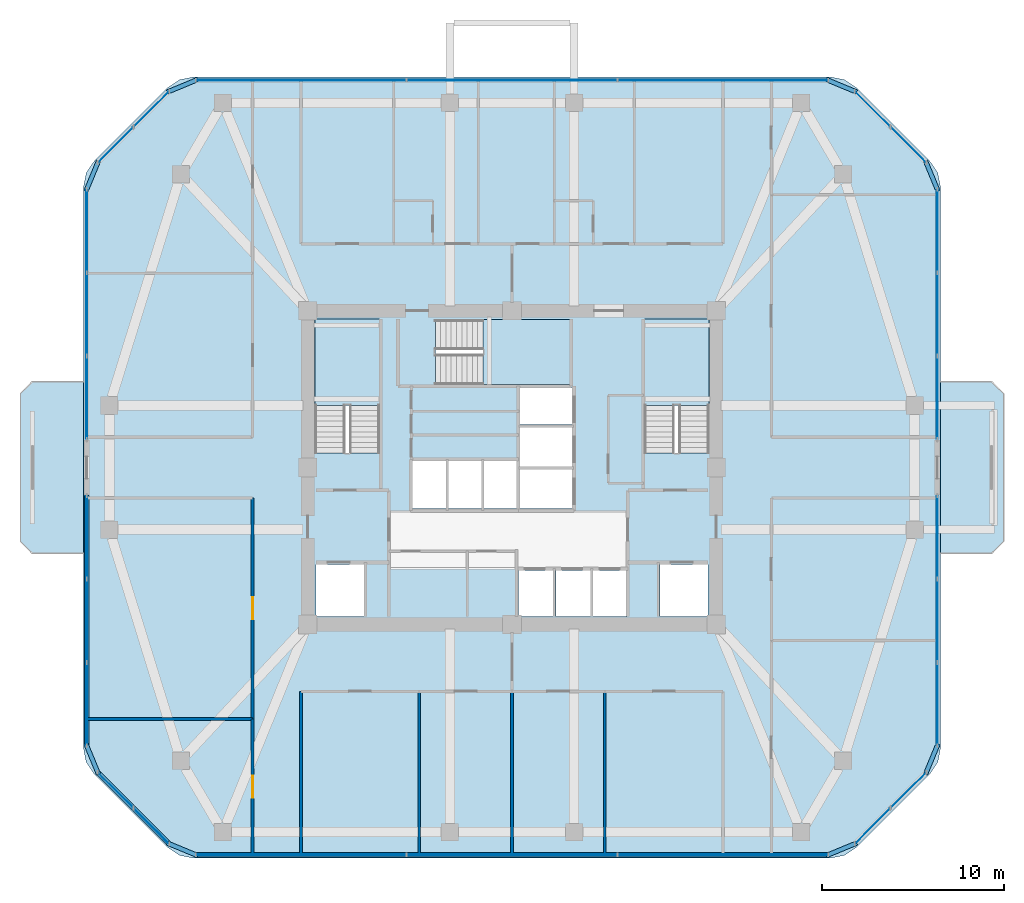
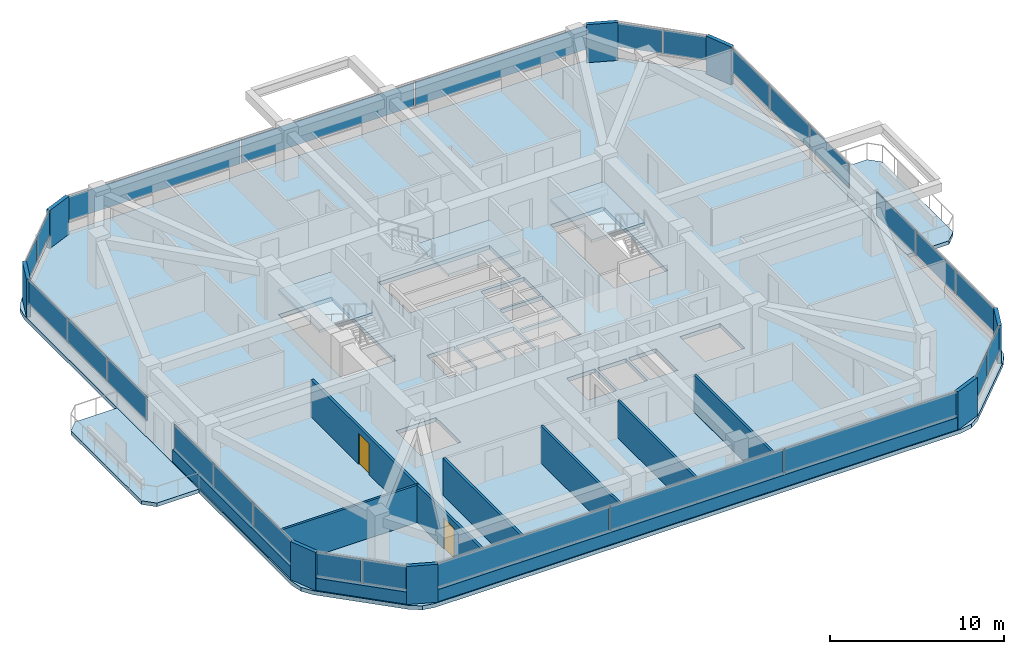
# One storey, part 7 of 13: 34 plates, 10 walls, 6 slabs, 2 doors, 2 openings, 13 elements without a shape of their own.
"""IFC4 building model written with IfcOpenShell, lengths in metres."""

from ifc_helpers import new_model, si_unit, derived_unit, direction, frame, frame_2d, origin, origin_2d, place, context, subcontext, project, spatial, polyline, rectangle, outline, extrude, material, layer, layer_set, type_object, element, fill, aggregate, save


model = new_model("IFC4")

# Units and contexts
model_context = context("Model", 3, precision=1e-05, world=origin(), true_north=direction((0.0, 1.0)))
body_context = subcontext(model_context, "Body", "Model", "MODEL_VIEW")
ifc_project = project(units=[si_unit("LENGTHUNIT", "METRE"), si_unit("AREAUNIT", "SQUARE_METRE"), si_unit("VOLUMEUNIT", "CUBIC_METRE"), si_unit("PLANEANGLEUNIT", "RADIAN"), si_unit("MASSUNIT", "GRAM", prefix="KILO"), derived_unit("THERMALTRANSMITTANCEUNIT", [(si_unit("POWERUNIT", "WATT"), 1), (si_unit("LENGTHUNIT", "METRE"), -2), (si_unit("THERMODYNAMICTEMPERATUREUNIT", "KELVIN"), -1)])], contexts=[model_context])

# Site, building, storey
site_placement = place(None, origin())
site = spatial("IfcSite", under=ifc_project, at=site_placement, CompositionType="ELEMENT")
building_placement = place(site_placement, origin())
building = spatial("IfcBuilding", under=site, at=building_placement, Name="Koralith Skygarden Medical Center", CompositionType="ELEMENT")
storey_placement = place(building_placement, frame((0.0, 0.0, 142.02001953125)))
storey = spatial("IfcBuildingStorey", under=building, at=storey_placement, Name="L36", CompositionType="ELEMENT", Elevation=142.02001953125)

# Curtain wall, plates
ifc_material_1 = material(Name="Clear Laminated Glass", Category="glass")
curtain_wall_type = type_object("IfcCurtainWallType", Name="CW-4 Zone 3 Waist High-Wind Curtain Wall", PredefinedType="NOTDEFINED", material=ifc_material_1)
curtain_wall_1_placement = place(storey_placement, origin())
curtain_wall_1 = element("IfcCurtainWall", 1, at=curtain_wall_1_placement, inside=storey, type_object=curtain_wall_type, Name="Curtain Wall CW-L36-S", PredefinedType="NOTDEFINED")
ifc_layer_1 = layer(ifc_material_1, 0.035888671875)
ifc_layer_set_1 = layer_set([ifc_layer_1], Name="Clear Laminated Glass")
plate_type_1 = type_object("IfcPlateType", Name="CW-4 Hurricane Laminated IGU Panel 36", PredefinedType="CURTAIN_PANEL", material=ifc_layer_set_1)
plate_1_placement = place(storey_placement, frame((25.447021484375, 4.679931640625, 0.919921875), z_axis=(0.0, 0.0, 1.0), x_axis=(1.0, 0.0, 0.0)))
plate_1 = element("IfcPlate", 2, at=plate_1_placement, type_object=plate_type_1, Name="CW-L36-S Glazed Panel 1", PredefinedType="CURTAIN_PANEL", context=body_context, shape_type="SweptSolid", body=[
    extrude(rectangle(XDim=11.462890625, YDim=0.035888671875, at=origin_2d()), origin(), (0.0, 0.0, 1.0), 1.679931640625),
])
plate_2_placement = place(storey_placement, frame((37.0, 4.679931640625, 0.919921875), z_axis=(0.0, 0.0, 1.0), x_axis=(1.0, 0.0, 0.0)))
plate_2 = element("IfcPlate", 3, at=plate_2_placement, type_object=plate_type_1, Name="CW-L36-S Glazed Panel 2", PredefinedType="CURTAIN_PANEL", context=body_context, shape_type="SweptSolid", body=[
    extrude(rectangle(XDim=11.462890625, YDim=0.035888671875, at=origin_2d()), origin(), (0.0, 0.0, 1.0), 1.679931640625),
])
plate_3_placement = place(storey_placement, frame((48.552978515625, 4.679931640625, 0.919921875), z_axis=(0.0, 0.0, 1.0), x_axis=(1.0, 0.0, 0.0)))
plate_3 = element("IfcPlate", 4, at=plate_3_placement, type_object=plate_type_1, Name="CW-L36-S Glazed Panel 3", PredefinedType="CURTAIN_PANEL", context=body_context, shape_type="SweptSolid", body=[
    extrude(rectangle(XDim=11.462890625, YDim=0.035888671875, at=origin_2d()), origin(), (0.0, 0.0, 1.0), 1.679931640625),
])
aggregate(curtain_wall_1, [plate_1, plate_2, plate_3])

curtain_wall_2_placement = place(storey_placement, origin())
curtain_wall_2 = element("IfcCurtainWall", 5, at=curtain_wall_2_placement, inside=storey, type_object=curtain_wall_type, Name="Curtain Wall CW-L36-SE", PredefinedType="NOTDEFINED")
plate_4_placement = place(storey_placement, frame((56.760986328125, 6.261962890625, 0.919921875), z_axis=(0.0, 0.0, 1.0), x_axis=(0.707106781187, 0.707106781187, 0.0)))
plate_4 = element("IfcPlate", 6, at=plate_4_placement, type_object=plate_type_1, Name="CW-L36-SE Glazed Panel 1", PredefinedType="CURTAIN_PANEL", context=body_context, shape_type="SweptSolid", body=[
    extrude(rectangle(XDim=2.68408203125, YDim=0.035888671875, at=origin_2d()), origin(), (0.0, 0.0, 1.0), 1.679931640625),
])
plate_5_placement = place(storey_placement, frame((58.721923828125, 8.222900390625, 0.919921875), z_axis=(0.0, 0.0, 1.0), x_axis=(0.707106781187, 0.707106781187, 0.0)))
plate_5 = element("IfcPlate", 7, at=plate_5_placement, type_object=plate_type_1, Name="CW-L36-SE Glazed Panel 2", PredefinedType="CURTAIN_PANEL", context=body_context, shape_type="SweptSolid", body=[
    extrude(rectangle(XDim=2.68408203125, YDim=0.035888671875, at=origin_2d()), origin(), (0.0, 0.0, 1.0), 1.679931640625),
])
aggregate(curtain_wall_2, [plate_4, plate_5])

curtain_wall_3_placement = place(storey_placement, origin())
curtain_wall_3 = element("IfcCurtainWall", 8, at=curtain_wall_3_placement, inside=storey, type_object=curtain_wall_type, Name="Curtain Wall CW-L36-E-L", PredefinedType="NOTDEFINED")
plate_6_placement = place(storey_placement, frame((60.303955078125, 12.93896484375, 0.919921875), z_axis=(0.0, 0.0, 1.0), x_axis=(0.0, 1.0, 0.0)))
plate_6 = element("IfcPlate", 9, at=plate_6_placement, type_object=plate_type_1, Name="CW-L36-E-L Glazed Panel 1", PredefinedType="CURTAIN_PANEL", context=body_context, shape_type="SweptSolid", body=[
    extrude(rectangle(XDim=4.47802734375, YDim=0.035888671875, at=origin_2d()), origin(), (0.0, 0.0, 1.0), 1.679931640625),
])
plate_7_placement = place(storey_placement, frame((60.303955078125, 17.508056640625, 0.919921875), z_axis=(0.0, 0.0, 1.0), x_axis=(0.0, 1.0, 0.0)))
plate_7 = element("IfcPlate", 10, at=plate_7_placement, type_object=plate_type_1, Name="CW-L36-E-L Glazed Panel 2", PredefinedType="CURTAIN_PANEL", context=body_context, shape_type="SweptSolid", body=[
    extrude(rectangle(XDim=4.47802734375, YDim=0.035888671875, at=origin_2d()), origin(), (0.0, 0.0, 1.0), 1.679931640625),
])
plate_8_placement = place(storey_placement, frame((60.303955078125, 22.075927734375, 0.919921875), z_axis=(0.0, 0.0, 1.0), x_axis=(0.0, 1.0, 0.0)))
plate_8 = element("IfcPlate", 11, at=plate_8_placement, type_object=plate_type_1, Name="CW-L36-E-L Glazed Panel 3", PredefinedType="CURTAIN_PANEL", context=body_context, shape_type="SweptSolid", body=[
    extrude(rectangle(XDim=4.47802734375, YDim=0.035888671875, at=origin_2d()), origin(), (0.0, 0.0, 1.0), 1.679931640625),
])
aggregate(curtain_wall_3, [plate_6, plate_7, plate_8])

curtain_wall_4_placement = place(storey_placement, origin())
curtain_wall_4 = element("IfcCurtainWall", 12, at=curtain_wall_4_placement, inside=storey, type_object=curtain_wall_type, Name="Curtain Wall CW-L36-E-R", PredefinedType="NOTDEFINED")
plate_9_placement = place(storey_placement, frame((60.303955078125, 29.72412109375, 0.919921875), z_axis=(0.0, 0.0, 1.0), x_axis=(0.0, 1.0, 0.0)))
plate_9 = element("IfcPlate", 13, at=plate_9_placement, type_object=plate_type_1, Name="CW-L36-E-R Glazed Panel 1", PredefinedType="CURTAIN_PANEL", context=body_context, shape_type="SweptSolid", body=[
    extrude(rectangle(XDim=4.47802734375, YDim=0.035888671875, at=origin_2d()), origin(), (0.0, 0.0, 1.0), 1.679931640625),
])
plate_10_placement = place(storey_placement, frame((60.303955078125, 34.29296875, 0.919921875), z_axis=(0.0, 0.0, 1.0), x_axis=(0.0, 1.0, 0.0)))
plate_10 = element("IfcPlate", 14, at=plate_10_placement, type_object=plate_type_1, Name="CW-L36-E-R Glazed Panel 2", PredefinedType="CURTAIN_PANEL", context=body_context, shape_type="SweptSolid", body=[
    extrude(rectangle(XDim=4.47802734375, YDim=0.035888671875, at=origin_2d()), origin(), (0.0, 0.0, 1.0), 1.679931640625),
])
plate_11_placement = place(storey_placement, frame((60.303955078125, 38.861083984375, 0.919921875), z_axis=(0.0, 0.0, 1.0), x_axis=(0.0, 1.0, 0.0)))
plate_11 = element("IfcPlate", 15, at=plate_11_placement, type_object=plate_type_1, Name="CW-L36-E-R Glazed Panel 3", PredefinedType="CURTAIN_PANEL", context=body_context, shape_type="SweptSolid", body=[
    extrude(rectangle(XDim=4.47802734375, YDim=0.035888671875, at=origin_2d()), origin(), (0.0, 0.0, 1.0), 1.679931640625),
])
aggregate(curtain_wall_4, [plate_9, plate_10, plate_11])

curtain_wall_5_placement = place(storey_placement, origin())
curtain_wall_5 = element("IfcCurtainWall", 16, at=curtain_wall_5_placement, inside=storey, type_object=curtain_wall_type, Name="Curtain Wall CW-L36-NE", PredefinedType="NOTDEFINED")
plate_12_placement = place(storey_placement, frame((58.721923828125, 43.576904296875, 0.919921875), z_axis=(0.0, 0.0, 1.0), x_axis=(-0.707106781187, 0.707106781187, 0.0)))
plate_12 = element("IfcPlate", 17, at=plate_12_placement, type_object=plate_type_1, Name="CW-L36-NE Glazed Panel 1", PredefinedType="CURTAIN_PANEL", context=body_context, shape_type="SweptSolid", body=[
    extrude(rectangle(XDim=2.68408203125, YDim=0.035888671875, at=origin_2d()), origin(), (0.0, 0.0, 1.0), 1.679931640625),
])
plate_13_placement = place(storey_placement, frame((56.760986328125, 45.5380859375, 0.919921875), z_axis=(0.0, 0.0, 1.0), x_axis=(-0.707106781187, 0.707106781187, 0.0)))
plate_13 = element("IfcPlate", 18, at=plate_13_placement, type_object=plate_type_1, Name="CW-L36-NE Glazed Panel 2", PredefinedType="CURTAIN_PANEL", context=body_context, shape_type="SweptSolid", body=[
    extrude(rectangle(XDim=2.68408203125, YDim=0.035888671875, at=origin_2d()), origin(), (0.0, 0.0, 1.0), 1.679931640625),
])
aggregate(curtain_wall_5, [plate_12, plate_13])

curtain_wall_6_placement = place(storey_placement, origin())
curtain_wall_6 = element("IfcCurtainWall", 19, at=curtain_wall_6_placement, inside=storey, type_object=curtain_wall_type, Name="Curtain Wall CW-L36-N", PredefinedType="NOTDEFINED")
plate_14_placement = place(storey_placement, frame((48.552978515625, 47.1201171875, 0.919921875), z_axis=(0.0, 0.0, 1.0), x_axis=(-1.0, 0.0, 0.0)))
plate_14 = element("IfcPlate", 20, at=plate_14_placement, type_object=plate_type_1, Name="CW-L36-N Glazed Panel 1", PredefinedType="CURTAIN_PANEL", context=body_context, shape_type="SweptSolid", body=[
    extrude(rectangle(XDim=11.462890625, YDim=0.035888671875, at=origin_2d()), origin(), (0.0, 0.0, 1.0), 1.679931640625),
])
plate_15_placement = place(storey_placement, frame((37.0, 47.1201171875, 0.919921875), z_axis=(0.0, 0.0, 1.0), x_axis=(-1.0, 0.0, 0.0)))
plate_15 = element("IfcPlate", 21, at=plate_15_placement, type_object=plate_type_1, Name="CW-L36-N Glazed Panel 2", PredefinedType="CURTAIN_PANEL", context=body_context, shape_type="SweptSolid", body=[
    extrude(rectangle(XDim=11.462890625, YDim=0.035888671875, at=origin_2d()), origin(), (0.0, 0.0, 1.0), 1.679931640625),
])
plate_16_placement = place(storey_placement, frame((25.447021484375, 47.1201171875, 0.919921875), z_axis=(0.0, 0.0, 1.0), x_axis=(-1.0, 0.0, 0.0)))
plate_16 = element("IfcPlate", 22, at=plate_16_placement, type_object=plate_type_1, Name="CW-L36-N Glazed Panel 3", PredefinedType="CURTAIN_PANEL", context=body_context, shape_type="SweptSolid", body=[
    extrude(rectangle(XDim=11.462890625, YDim=0.035888671875, at=origin_2d()), origin(), (0.0, 0.0, 1.0), 1.679931640625),
])
aggregate(curtain_wall_6, [plate_14, plate_15, plate_16])

curtain_wall_7_placement = place(storey_placement, origin())
curtain_wall_7 = element("IfcCurtainWall", 23, at=curtain_wall_7_placement, inside=storey, type_object=curtain_wall_type, Name="Curtain Wall CW-L36-NW", PredefinedType="NOTDEFINED")
plate_17_placement = place(storey_placement, frame((17.239013671875, 45.5380859375, 0.919921875), z_axis=(0.0, 0.0, 1.0), x_axis=(-0.707106781187, -0.707106781187, 0.0)))
plate_17 = element("IfcPlate", 24, at=plate_17_placement, type_object=plate_type_1, Name="CW-L36-NW Glazed Panel 1", PredefinedType="CURTAIN_PANEL", context=body_context, shape_type="SweptSolid", body=[
    extrude(rectangle(XDim=2.68408203125, YDim=0.035888671875, at=origin_2d()), origin(), (0.0, 0.0, 1.0), 1.679931640625),
])
plate_18_placement = place(storey_placement, frame((15.278076171875, 43.576904296875, 0.919921875), z_axis=(0.0, 0.0, 1.0), x_axis=(-0.707106781187, -0.707106781187, 0.0)))
plate_18 = element("IfcPlate", 25, at=plate_18_placement, type_object=plate_type_1, Name="CW-L36-NW Glazed Panel 2", PredefinedType="CURTAIN_PANEL", context=body_context, shape_type="SweptSolid", body=[
    extrude(rectangle(XDim=2.68408203125, YDim=0.035888671875, at=origin_2d()), origin(), (0.0, 0.0, 1.0), 1.679931640625),
])
aggregate(curtain_wall_7, [plate_17, plate_18])

curtain_wall_8_placement = place(storey_placement, origin())
curtain_wall_8 = element("IfcCurtainWall", 26, at=curtain_wall_8_placement, inside=storey, type_object=curtain_wall_type, Name="Curtain Wall CW-L36-W-L", PredefinedType="NOTDEFINED")
plate_19_placement = place(storey_placement, frame((13.696044921875, 38.861083984375, 0.919921875), z_axis=(0.0, 0.0, 1.0), x_axis=(0.0, -1.0, 0.0)))
plate_19 = element("IfcPlate", 27, at=plate_19_placement, type_object=plate_type_1, Name="CW-L36-W-L Glazed Panel 1", PredefinedType="CURTAIN_PANEL", context=body_context, shape_type="SweptSolid", body=[
    extrude(rectangle(XDim=4.47802734375, YDim=0.035888671875, at=origin_2d()), origin(), (0.0, 0.0, 1.0), 1.679931640625),
])
plate_20_placement = place(storey_placement, frame((13.696044921875, 34.29296875, 0.919921875), z_axis=(0.0, 0.0, 1.0), x_axis=(0.0, -1.0, 0.0)))
plate_20 = element("IfcPlate", 28, at=plate_20_placement, type_object=plate_type_1, Name="CW-L36-W-L Glazed Panel 2", PredefinedType="CURTAIN_PANEL", context=body_context, shape_type="SweptSolid", body=[
    extrude(rectangle(XDim=4.47802734375, YDim=0.035888671875, at=origin_2d()), origin(), (0.0, 0.0, 1.0), 1.679931640625),
])
plate_21_placement = place(storey_placement, frame((13.696044921875, 29.72412109375, 0.919921875), z_axis=(0.0, 0.0, 1.0), x_axis=(0.0, -1.0, 0.0)))
plate_21 = element("IfcPlate", 29, at=plate_21_placement, type_object=plate_type_1, Name="CW-L36-W-L Glazed Panel 3", PredefinedType="CURTAIN_PANEL", context=body_context, shape_type="SweptSolid", body=[
    extrude(rectangle(XDim=4.47802734375, YDim=0.035888671875, at=origin_2d()), origin(), (0.0, 0.0, 1.0), 1.679931640625),
])
aggregate(curtain_wall_8, [plate_19, plate_20, plate_21])

curtain_wall_9_placement = place(storey_placement, origin())
curtain_wall_9 = element("IfcCurtainWall", 30, at=curtain_wall_9_placement, inside=storey, type_object=curtain_wall_type, Name="Curtain Wall CW-L36-W-R", PredefinedType="NOTDEFINED")
plate_22_placement = place(storey_placement, frame((13.696044921875, 22.075927734375, 0.919921875), z_axis=(0.0, 0.0, 1.0), x_axis=(0.0, -1.0, 0.0)))
plate_22 = element("IfcPlate", 31, at=plate_22_placement, type_object=plate_type_1, Name="CW-L36-W-R Glazed Panel 1", PredefinedType="CURTAIN_PANEL", context=body_context, shape_type="SweptSolid", body=[
    extrude(rectangle(XDim=4.47802734375, YDim=0.035888671875, at=origin_2d()), origin(), (0.0, 0.0, 1.0), 1.679931640625),
])
plate_23_placement = place(storey_placement, frame((13.696044921875, 17.508056640625, 0.919921875), z_axis=(0.0, 0.0, 1.0), x_axis=(0.0, -1.0, 0.0)))
plate_23 = element("IfcPlate", 32, at=plate_23_placement, type_object=plate_type_1, Name="CW-L36-W-R Glazed Panel 2", PredefinedType="CURTAIN_PANEL", context=body_context, shape_type="SweptSolid", body=[
    extrude(rectangle(XDim=4.47802734375, YDim=0.035888671875, at=origin_2d()), origin(), (0.0, 0.0, 1.0), 1.679931640625),
])
plate_24_placement = place(storey_placement, frame((13.696044921875, 12.93896484375, 0.919921875), z_axis=(0.0, 0.0, 1.0), x_axis=(0.0, -1.0, 0.0)))
plate_24 = element("IfcPlate", 33, at=plate_24_placement, type_object=plate_type_1, Name="CW-L36-W-R Glazed Panel 3", PredefinedType="CURTAIN_PANEL", context=body_context, shape_type="SweptSolid", body=[
    extrude(rectangle(XDim=4.47802734375, YDim=0.035888671875, at=origin_2d()), origin(), (0.0, 0.0, 1.0), 1.679931640625),
])
aggregate(curtain_wall_9, [plate_22, plate_23, plate_24])

curtain_wall_10_placement = place(storey_placement, origin())
curtain_wall_10 = element("IfcCurtainWall", 34, at=curtain_wall_10_placement, inside=storey, type_object=curtain_wall_type, Name="Curtain Wall CW-L36-SW", PredefinedType="NOTDEFINED")
plate_25_placement = place(storey_placement, frame((15.278076171875, 8.222900390625, 0.919921875), z_axis=(0.0, 0.0, 1.0), x_axis=(0.707106781187, -0.707106781187, 0.0)))
plate_25 = element("IfcPlate", 35, at=plate_25_placement, type_object=plate_type_1, Name="CW-L36-SW Glazed Panel 1", PredefinedType="CURTAIN_PANEL", context=body_context, shape_type="SweptSolid", body=[
    extrude(rectangle(XDim=2.68408203125, YDim=0.035888671875, at=origin_2d()), origin(), (0.0, 0.0, 1.0), 1.679931640625),
])
plate_26_placement = place(storey_placement, frame((17.239013671875, 6.261962890625, 0.919921875), z_axis=(0.0, 0.0, 1.0), x_axis=(0.707106781187, -0.707106781187, 0.0)))
plate_26 = element("IfcPlate", 36, at=plate_26_placement, type_object=plate_type_1, Name="CW-L36-SW Glazed Panel 2", PredefinedType="CURTAIN_PANEL", context=body_context, shape_type="SweptSolid", body=[
    extrude(rectangle(XDim=2.68408203125, YDim=0.035888671875, at=origin_2d()), origin(), (0.0, 0.0, 1.0), 1.679931640625),
])
aggregate(curtain_wall_10, [plate_25, plate_26])

# Slabs
ifc_material_2 = material(Name="Concrete C45/55", Category="concrete")
ifc_layer_2 = layer(ifc_material_2, 0.260009765625)
ifc_layer_set_2 = layer_set([ifc_layer_2], Name="Concrete C45/55")
slab_type_1 = type_object("IfcSlabType", Name="Cantilevered Planted Balcony Slab 260", PredefinedType="FLOOR", material=ifc_layer_set_2)
slab_1_placement = place(storey_placement, frame((0.0, 0.0, -0.260009765625)))
element("IfcSlab", 37, at=slab_1_placement, inside=storey, type_object=slab_type_1, Name="L36 E Planted Sky-Garden Balcony Slab", PredefinedType="FLOOR", context=body_context, shape_type="SweptSolid", body=[
    extrude(outline(polyline([(60.48388671875, 21.199951171875), (63.283935546875, 21.199951171875), (63.93408203125, 21.85009765625), (63.93408203125, 29.949951171875), (63.283935546875, 30.60009765625), (60.48388671875, 30.60009765625), (60.48388671875, 21.199951171875)])), origin(), (0.0, 0.0, 1.0), 0.260009765625),
])
slab_2_placement = place(storey_placement, frame((0.0, 0.0, -0.260009765625)))
element("IfcSlab", 38, at=slab_2_placement, inside=storey, type_object=slab_type_1, Name="L36 W Planted Sky-Garden Balcony Slab", PredefinedType="FLOOR", context=body_context, shape_type="SweptSolid", body=[
    extrude(outline(polyline([(10.716064453125, 21.199951171875), (13.51611328125, 21.199951171875), (13.51611328125, 30.60009765625), (10.716064453125, 30.60009765625), (10.06591796875, 29.949951171875), (10.06591796875, 21.85009765625), (10.716064453125, 21.199951171875)])), origin(), (0.0, 0.0, 1.0), 0.260009765625),
])

# Stair, slab
stair_type = type_object("IfcStairType", Name="Core Exit Dogleg Concrete Stair", PredefinedType="HALF_TURN_STAIR", material=ifc_material_2)
stair_1_placement = place(storey_placement, origin())
stair_1 = element("IfcStair", 39, at=stair_1_placement, inside=storey, type_object=stair_type, Name="L36 Smokeproof Exit Stair ST1", PredefinedType="HALF_TURN_STAIR")
ifc_layer_3 = layer(ifc_material_2, 0.199951171875)
ifc_layer_set_3 = layer_set([ifc_layer_3], Name="Concrete C45/55")
slab_type_2 = type_object("IfcSlabType", Name="Core Exit Concrete Stair Landing 200", PredefinedType="LANDING", material=ifc_layer_set_3)
slab_3_placement = place(storey_placement, frame((0.0, 0.0, 1.60009765625)))
slab_3 = element("IfcSlab", 40, at=slab_3_placement, type_object=slab_type_2, Name="ST1 landing 1", PredefinedType="LANDING", context=body_context, shape_type="SweptSolid", body=[
    extrude(outline(polyline([(29.75, 29.31005859375), (29.75, 34.050048828125), (26.199951171875, 34.050048828125), (26.199951171875, 29.31005859375), (29.75, 29.31005859375)])), origin(), (0.0, 0.0, 1.0), 0.199951171875),
])
aggregate(stair_1, [slab_3])

stair_2_placement = place(storey_placement, origin())
stair_2 = element("IfcStair", 41, at=stair_2_placement, inside=storey, type_object=stair_type, Name="L36 Smokeproof Exit Stair ST2", PredefinedType="HALF_TURN_STAIR")
slab_4_placement = place(storey_placement, frame((0.0, 0.0, 1.60009765625)))
slab_4 = element("IfcSlab", 42, at=slab_4_placement, type_object=slab_type_2, Name="ST2 landing 1", PredefinedType="LANDING", context=body_context, shape_type="SweptSolid", body=[
    extrude(outline(polyline([(47.800048828125, 29.31005859375), (47.800048828125, 34.050048828125), (44.25, 34.050048828125), (44.25, 29.31005859375), (47.800048828125, 29.31005859375)])), origin(), (0.0, 0.0, 1.0), 0.199951171875),
])
aggregate(stair_2, [slab_4])

stair_3_placement = place(storey_placement, origin())
stair_3 = element("IfcStair", 43, at=stair_3_placement, inside=storey, type_object=stair_type, Name="L36 Smokeproof Exit Stair ST3", PredefinedType="HALF_TURN_STAIR")
slab_5_placement = place(storey_placement, frame((0.0, 0.0, 1.60009765625)))
slab_5 = element("IfcSlab", 44, at=slab_5_placement, type_object=slab_type_2, Name="ST3 landing 1", PredefinedType="LANDING", context=body_context, shape_type="SweptSolid", body=[
    extrude(outline(polyline([(35.409912109375, 30.449951171875), (40.199951171875, 30.449951171875), (40.199951171875, 34.0), (35.409912109375, 34.0), (35.409912109375, 30.449951171875)])), origin(), (0.0, 0.0, 1.0), 0.199951171875),
])
aggregate(stair_3, [slab_5])

# Slab
ifc_layer_4 = layer(ifc_material_2, 0.280029296875)
ifc_layer_set_4 = layer_set([ifc_layer_4], Name="Concrete C45/55")
slab_type_3 = type_object("IfcSlabType", Name="Post-Tensioned Ward Floor Plate 280", PredefinedType="FLOOR", material=ifc_layer_set_4)
slab_6_placement = place(storey_placement, frame((0.0, 0.0, -0.280029296875)))
element("IfcSlab", 45, at=slab_6_placement, inside=storey, type_object=slab_type_3, Name="Level L36 Structural Floor Slab", PredefinedType="FLOOR", context=body_context, shape_type="SweptSolid", body=[
    extrude(outline(polyline([(18.1298828125, 5.0859375), (18.779052734375, 4.652099609375), (19.5439453125, 4.5), (54.4560546875, 4.5), (55.220947265625, 4.652099609375), (55.8701171875, 5.0859375), (59.89794921875, 9.114013671875), (60.33203125, 9.762939453125), (60.48388671875, 10.528076171875), (60.48388671875, 41.27197265625), (60.33203125, 42.037109375), (59.89794921875, 42.68603515625), (55.8701171875, 46.714111328125), (55.220947265625, 47.14794921875), (54.4560546875, 47.300048828125), (19.5439453125, 47.300048828125), (18.779052734375, 47.14794921875), (18.1298828125, 46.714111328125), (14.10205078125, 42.68603515625), (13.66796875, 42.037109375), (13.51611328125, 41.27197265625), (13.51611328125, 10.528076171875), (13.66796875, 9.762939453125), (14.10205078125, 9.114013671875), (18.1298828125, 5.0859375)]), holes=[polyline([(26.199951171875, 26.705078125), (29.75, 26.705078125), (29.75, 34.050048828125), (26.199951171875, 34.050048828125), (26.199951171875, 26.705078125)]), polyline([(44.25, 26.705078125), (47.800048828125, 26.705078125), (47.800048828125, 34.050048828125), (44.25, 34.050048828125), (44.25, 26.705078125)]), polyline([(32.804931640625, 30.449951171875), (40.199951171875, 30.449951171875), (40.199951171875, 34.0), (32.804931640625, 34.0), (32.804931640625, 30.449951171875)]), polyline([(26.25, 17.75), (28.89990234375, 17.75), (28.89990234375, 20.60009765625), (26.25, 20.60009765625), (26.25, 17.75)]), polyline([(45.10009765625, 17.75), (47.75, 17.75), (47.75, 20.60009765625), (45.10009765625, 20.60009765625), (45.10009765625, 17.75)]), polyline([(37.35009765625, 17.75), (39.25, 17.75), (39.25, 20.25), (37.35009765625, 20.25), (37.35009765625, 17.75)]), polyline([(39.39990234375, 17.75), (41.300048828125, 17.75), (41.300048828125, 20.25), (39.39990234375, 20.25), (39.39990234375, 17.75)]), polyline([(41.449951171875, 17.75), (43.300048828125, 17.75), (43.300048828125, 20.25), (41.449951171875, 20.25), (41.449951171875, 17.75)]), polyline([(31.550048828125, 23.64990234375), (33.39990234375, 23.64990234375), (33.39990234375, 26.25), (31.550048828125, 26.25), (31.550048828125, 23.64990234375)]), polyline([(33.5, 23.64990234375), (35.35009765625, 23.64990234375), (35.35009765625, 26.25), (33.5, 26.25), (33.5, 23.64990234375)]), polyline([(35.449951171875, 23.64990234375), (37.300048828125, 23.64990234375), (37.300048828125, 26.25), (35.449951171875, 26.25), (35.449951171875, 23.64990234375)]), polyline([(37.449951171875, 23.64990234375), (40.300048828125, 23.64990234375), (40.300048828125, 25.800048828125), (37.449951171875, 25.800048828125), (37.449951171875, 23.64990234375)]), polyline([(37.449951171875, 25.949951171875), (40.300048828125, 25.949951171875), (40.300048828125, 28.10009765625), (37.449951171875, 28.10009765625), (37.449951171875, 25.949951171875)]), polyline([(37.449951171875, 28.25), (40.300048828125, 28.25), (40.300048828125, 30.25), (37.449951171875, 30.25), (37.449951171875, 28.25)])]), origin(), (0.0, 0.0, 1.0), 0.280029296875),
])

# Plates
ifc_material_3 = material(Name="Warm Oolitic Limestone Cladding", Category="masonry")
ifc_layer_5 = layer(ifc_material_3, 0.239990234375)
ifc_layer_set_5 = layer_set([ifc_layer_5], Name="Warm Oolitic Limestone Cladding")
plate_type_2 = type_object("IfcPlateType", Name="Rounded-Corner Oolitic Limestone Cladding Panel 240", PredefinedType="USERDEFINED", material=ifc_layer_set_5)
for number, where, z_axis, x_axis, name in (
    (46, (55.054931640625, 4.97998046875, 0.0), (0.0, 0.0, 1.0), (0.92388487569, 0.382670532536, 0.0), "L36 Rounded-Corner Limestone Pier 1"),
    (47, (60.00390625, 9.929931640625, 0.0), (0.0, 0.0, 1.0), (0.382670532536, 0.92388487569, 0.0), "L36 Rounded-Corner Limestone Pier 2"),
    (48, (60.00390625, 41.8701171875, 0.0), (0.0, 0.0, 1.0), (-0.382670532536, 0.92388487569, 0.0), "L36 Rounded-Corner Limestone Pier 3"),
    (49, (55.054931640625, 46.819091796875, 0.0), (0.0, 0.0, 1.0), (-0.92388487569, 0.382670532536, 0.0), "L36 Rounded-Corner Limestone Pier 4"),
    (50, (18.945068359375, 46.819091796875, 0.0), (0.0, 0.0, 1.0), (-0.92388487569, -0.382670532536, 0.0), "L36 Rounded-Corner Limestone Pier 5"),
    (51, (13.9970703125, 41.8701171875, 0.0), (0.0, 0.0, 1.0), (-0.382670532536, -0.92388487569, 0.0), "L36 Rounded-Corner Limestone Pier 6"),
    (52, (13.9970703125, 9.929931640625, 0.0), (0.0, 0.0, 1.0), (0.382670532536, -0.92388487569, 0.0), "L36 Rounded-Corner Limestone Pier 7"),
    (53, (18.945068359375, 4.97998046875, 0.0), (0.0, 0.0, 1.0), (0.92388487569, -0.382670532536, 0.0), "L36 Rounded-Corner Limestone Pier 8"),
):
    element("IfcPlate", number, at=place(storey_placement, frame(where, z_axis=z_axis, x_axis=x_axis)), inside=storey, type_object=plate_type_2, Name=name, ObjectType="LIMESTONE CLADDING", PredefinedType="USERDEFINED", context=body_context, shape_type="SweptSolid", body=[
        extrude(rectangle(XDim=1.81103515625, YDim=0.239990234375, at=origin_2d()), origin(), (0.0, 0.0, 1.0), 2.669921875),
    ])

# Walls
ifc_material_4 = material(Name="Gypsum Board Partition")
ifc_layer_6 = layer(ifc_material_4, 0.14990234375)
ifc_layer_set_6 = layer_set([ifc_layer_6], Name="Gypsum Board Partition")
wall_type_1 = type_object("IfcWallType", Name="Clinical Acoustic Partition 150", PredefinedType="PARTITIONING", material=ifc_layer_set_6)
for number, where, z_axis, x_axis, name in (
    (54, (31.9140625, 13.639892578125, 0.0), (0.0, 0.0, 1.0), (0.0, -1.0, 0.0), "L36 Clinical Acoustic Partition 150 W-PART-L36-S-01"),
    (55, (37.0, 13.639892578125, 0.0), (0.0, 0.0, 1.0), (0.0, -1.0, 0.0), "L36 Clinical Acoustic Partition 150 W-PART-L36-S-02"),
    (56, (42.0859375, 13.639892578125, 0.0), (0.0, 0.0, 1.0), (0.0, -1.0, 0.0), "L36 Clinical Acoustic Partition 150 W-PART-L36-S-03"),
):
    element("IfcWall", number, at=place(storey_placement, frame(where, z_axis=z_axis, x_axis=x_axis)), inside=storey, type_object=wall_type_1, Name=name, PredefinedType="PARTITIONING", context=body_context, shape_type="SweptSolid", body=[
        extrude(rectangle(XDim=8.93994140625, YDim=0.14990234375, at=frame_2d((4.469970703125, 0.0))), origin(), (0.0, 0.0, 1.0), 2.60986328125),
    ])
wall_1_placement = place(storey_placement, frame((22.7900390625, 12.125, 0.0), z_axis=(0.0, 0.0, 1.0), x_axis=(-1.0, 0.0, 0.0)))
element("IfcWall", 57, at=wall_1_placement, inside=storey, type_object=wall_type_1, Name="L36 Clinical Acoustic Partition 150 W-PART-L36-WS-01", PredefinedType="PARTITIONING", context=body_context, shape_type="SweptSolid", body=[
    extrude(rectangle(XDim=9.073974609375, YDim=0.14990234375, at=frame_2d((4.537109375, 0.0))), origin(), (0.0, 0.0, 1.0), 2.60986328125),
])
ifc_layer_7 = layer(ifc_material_4, 0.1650390625)
ifc_layer_set_7 = layer_set([ifc_layer_7], Name="Gypsum Board Partition")
wall_type_2 = type_object("IfcWallType", Name="Clinical Corridor Partition 165", PredefinedType="PARTITIONING", material=ifc_layer_set_7)
wall_2_placement = place(storey_placement, frame((25.429931640625, 4.699951171875, 0.0), z_axis=(0.0, 0.0, 1.0), x_axis=(0.0, 1.0, 0.0)))
element("IfcWall", 58, at=wall_2_placement, inside=storey, type_object=wall_type_2, Name="L36 Clinical Corridor Partition 165 W-HCOR-L36-SW", PredefinedType="PARTITIONING", context=body_context, shape_type="SweptSolid", body=[
    extrude(rectangle(XDim=8.93994140625, YDim=0.1650390625, at=frame_2d((4.469970703125, 0.0))), origin(), (0.0, 0.0, 1.0), 2.60986328125),
])

# Wall, opening, door
wall_3_placement = place(storey_placement, frame((22.7900390625, 4.699951171875, 0.0), z_axis=(0.0, 0.0, 1.0), x_axis=(0.0, 1.0, 0.0)))
wall_3 = element("IfcWall", 59, at=wall_3_placement, inside=storey, type_object=wall_type_2, Name="L36 Clinical Corridor Partition 165 W-CORR-L36-WS-01", PredefinedType="PARTITIONING", context=body_context, shape_type="SweptSolid", body=[
    extrude(rectangle(XDim=7.425048828125, YDim=0.1650390625, at=frame_2d((3.71240234375, 0.0))), origin(), (0.0, 0.0, 1.0), 2.60986328125),
])
opening_1_placement = place(wall_3_placement, frame((3.112060546875, 0.0, 0.0)))
opening_1 = element("IfcOpeningElement", 60, at=opening_1_placement, cuts=wall_3, Name="Opening D-CLN", PredefinedType="OPENING", context=body_context, shape_type="SweptSolid", body=[
    extrude(rectangle(XDim=1.199951171875, YDim=2.14990234375, at=frame_2d((0.60009765625, 1.074951171875))), frame((0.0, 0.092529296875, 0.0), z_axis=(0.0, -1.0, 0.0), x_axis=(1.0, 0.0, 0.0)), (0.0, 0.0, 1.0), 0.18505859375),
])
ifc_material_5 = material(Name="Aluminium 6063-T6", Category="aluminium")
door_type = type_object("IfcDoorType", Name="Clinical Corridor Door D-CLN 1200", OperationType="NOTDEFINED", PredefinedType="DOOR", material=ifc_material_5)
door_1_placement = place(opening_1_placement, frame((1.199951171875, 0.0, 0.0), z_axis=(0.0, 0.0, 1.0), x_axis=(-1.0, 0.0, 0.0)))
door_1 = element("IfcDoor", 61, at=door_1_placement, inside=storey, type_object=door_type, Name="L36 Clinical Consultation Office 10 Door", OperationType="SINGLE_SWING_LEFT", OverallHeight=2.14990234375, OverallWidth=1.199951171875, PredefinedType="DOOR", context=body_context, shape_type="SweptSolid", body=[
    extrude(rectangle(XDim=1.199951171875, YDim=2.14990234375, at=frame_2d((0.60009765625, 1.074951171875))), frame((0.0, 0.02490234375, 0.0), z_axis=(0.0, -1.0, 0.0), x_axis=(1.0, 0.0, 0.0)), (0.0, 0.0, 1.0), 0.050048828125),
])
fill(opening_1, door_1)

wall_4_placement = place(storey_placement, frame((22.7900390625, 12.125, 0.0), z_axis=(0.0, 0.0, 1.0), x_axis=(0.0, 1.0, 0.0)))
wall_4 = element("IfcWall", 62, at=wall_4_placement, inside=storey, type_object=wall_type_2, Name="L36 Clinical Corridor Partition 165 W-CORR-L36-WS-02", PredefinedType="PARTITIONING", context=body_context, shape_type="SweptSolid", body=[
    extrude(rectangle(XDim=12.114990234375, YDim=0.1650390625, at=frame_2d((6.0576171875, 0.0))), origin(), (0.0, 0.0, 1.0), 2.60986328125),
])
opening_2_placement = place(wall_4_placement, frame((5.45703125, 0.0, 0.0)))
opening_2 = element("IfcOpeningElement", 63, at=opening_2_placement, cuts=wall_4, Name="Opening D-CLN", PredefinedType="OPENING", context=body_context, shape_type="SweptSolid", body=[
    extrude(rectangle(XDim=1.199951171875, YDim=2.14990234375, at=frame_2d((0.60009765625, 1.074951171875))), frame((0.0, 0.092529296875, 0.0), z_axis=(0.0, -1.0, 0.0), x_axis=(1.0, 0.0, 0.0)), (0.0, 0.0, 1.0), 0.18505859375),
])
door_2_placement = place(opening_2_placement, frame((1.199951171875, 0.0, 0.0), z_axis=(0.0, 0.0, 1.0), x_axis=(-1.0, 0.0, 0.0)))
door_2 = element("IfcDoor", 64, at=door_2_placement, inside=storey, type_object=door_type, Name="L36 Procedure and Minor Treatment Room 11 Door", OperationType="SINGLE_SWING_RIGHT", OverallHeight=2.14990234375, OverallWidth=1.199951171875, PredefinedType="DOOR", context=body_context, shape_type="SweptSolid", body=[
    extrude(rectangle(XDim=1.199951171875, YDim=2.14990234375, at=frame_2d((0.60009765625, 1.074951171875))), frame((0.0, 0.02490234375, 0.0), z_axis=(0.0, -1.0, 0.0), x_axis=(1.0, 0.0, 0.0)), (0.0, 0.0, 1.0), 0.050048828125),
])
fill(opening_2, door_2)

# Walls
ifc_layer_8 = layer(ifc_material_3, 0.239990234375)
ifc_layer_set_8 = layer_set([ifc_layer_8], Name="Warm Oolitic Limestone Cladding")
wall_type_3 = type_object("IfcWallType", Name="Limestone Spandrel Sill Backup Wall 240", PredefinedType="SOLIDWALL", material=ifc_layer_set_8)
wall_5_placement = place(storey_placement, frame((19.6708984375, 4.679931640625, 0.0), z_axis=(0.0, 0.0, 1.0), x_axis=(1.0, 0.0, 0.0)))
element("IfcWall", 65, at=wall_5_placement, inside=storey, type_object=wall_type_3, Name="L36 Sill Spandrel S", PredefinedType="SOLIDWALL", context=body_context, shape_type="SweptSolid", body=[
    extrude(rectangle(XDim=34.658203125, YDim=0.239990234375, at=frame_2d((17.3291015625, 0.0))), origin(), (0.0, 0.0, 1.0), 0.85009765625),
])
wall_6_placement = place(storey_placement, frame((13.696044921875, 24.360107421875, 0.0), z_axis=(0.0, 0.0, 1.0), x_axis=(0.0, -1.0, 0.0)))
element("IfcWall", 66, at=wall_6_placement, inside=storey, type_object=wall_type_3, Name="L36 Sill Spandrel W-R", PredefinedType="SOLIDWALL", context=body_context, shape_type="SweptSolid", body=[
    extrude(rectangle(XDim=13.705078125, YDim=0.239990234375, at=frame_2d((6.8525390625, 0.0))), origin(), (0.0, 0.0, 1.0), 0.85009765625),
])
wall_7_placement = place(storey_placement, frame((14.297119140625, 9.2041015625, 0.0), z_axis=(0.0, 0.0, 1.0), x_axis=(0.707084777957, -0.707128783731, 0.0)))
element("IfcWall", 67, at=wall_7_placement, inside=storey, type_object=wall_type_3, Name="L36 Sill Spandrel SW", PredefinedType="SOLIDWALL", context=body_context, shape_type="SweptSolid", body=[
    extrude(rectangle(XDim=5.5478515625, YDim=0.239990234375, at=frame_2d((2.77392578125, 0.0))), origin(), (0.0, 0.0, 1.0), 0.85009765625),
])

save(model, "model.ifc")
